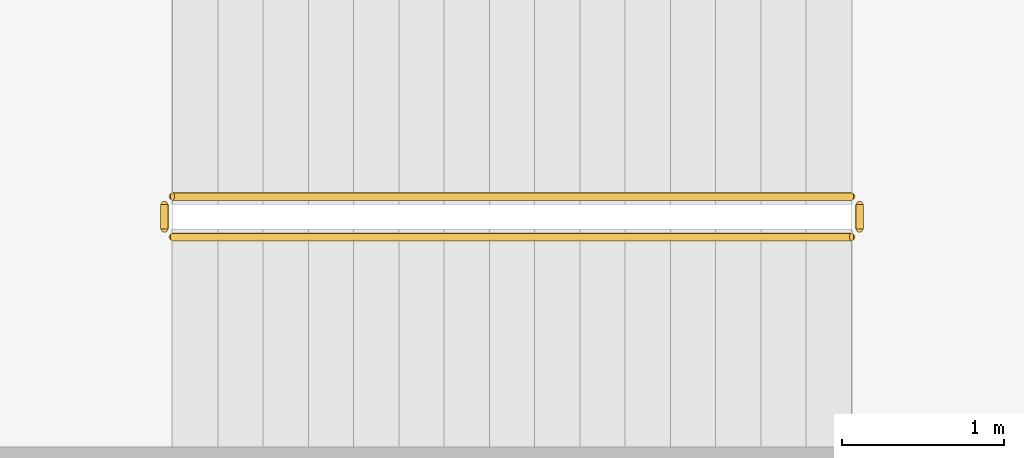
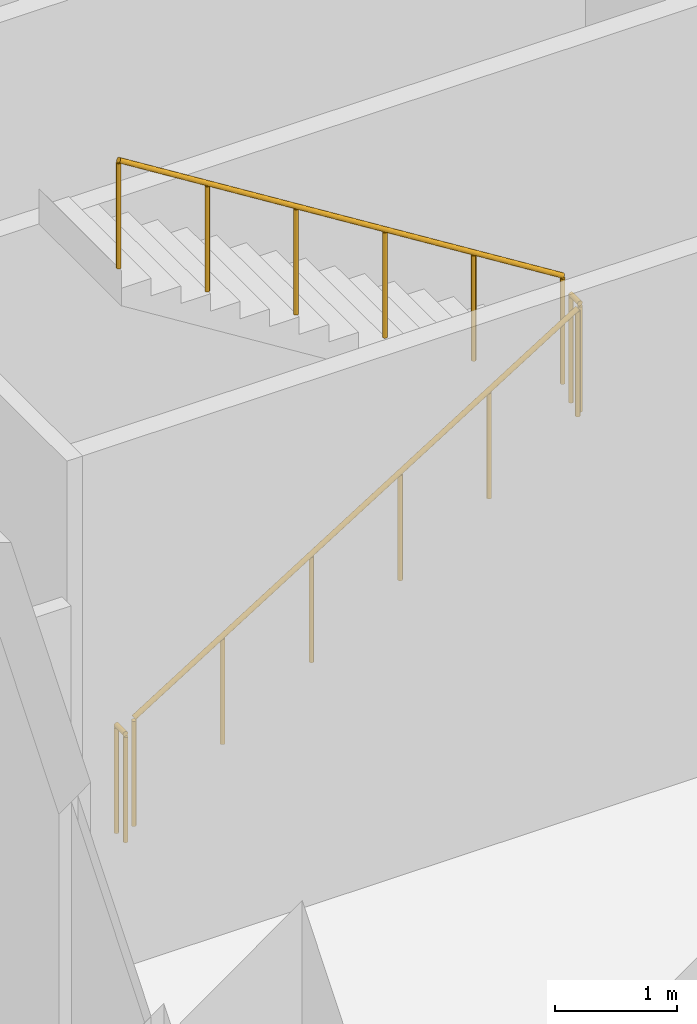
# One storey, part 12 of 17: 4 railings.
"""IFC4 building model written with IfcOpenShell, lengths in metres."""

from ifc_helpers import new_model, si_unit, direction, frame, origin, origin_2d, place, context, subcontext, project, spatial, circle, extrude, material, type_object, element, save


model = new_model("IFC4")

# Units and contexts
model_context = context("Model", 3, precision=1e-05, world=origin(), true_north=direction((0.0, 1.0)))
body_context = subcontext(model_context, "Body", "Model", "MODEL_VIEW")
ifc_project = project(units=[si_unit("LENGTHUNIT", "METRE"), si_unit("AREAUNIT", "SQUARE_METRE"), si_unit("VOLUMEUNIT", "CUBIC_METRE"), si_unit("PLANEANGLEUNIT", "RADIAN"), si_unit("MASSUNIT", "GRAM", prefix="KILO")], contexts=[model_context])

# Site, building, storey
site_placement = place(None, origin())
site = spatial("IfcSite", under=ifc_project, at=site_placement, CompositionType="ELEMENT")
building_placement = place(site_placement, origin())
building = spatial("IfcBuilding", under=site, at=building_placement, Name="Kawkab Arch Medical Tower", CompositionType="ELEMENT")
storey_placement = place(building_placement, frame((0.0, 0.0, 7.0)))
storey = spatial("IfcBuildingStorey", under=building, at=storey_placement, Name="L02", CompositionType="ELEMENT", Elevation=7.0)

# Railings
ifc_material = material(Name="Stainless steel", Category="steel")
railing_type = type_object("IfcRailingType", Name="Stair guard 1100", PredefinedType="GUARDRAIL", material=ifc_material)
railing_1_placement = place(storey_placement, frame((1.97509765625, -72.35009765625, 0.175048828125)))
element("IfcRailing", 1, at=railing_1_placement, inside=storey, type_object=railing_type, Name="L02 ST10 stair guard 1", PredefinedType="GUARDRAIL", context=body_context, shape_type="SweptSolid", body=[
    extrude(circle(Radius=0.02392578125, at=origin_2d()), frame((0.0, 0.0, 1.076171875), z_axis=(0.847995534698, 0.0, 0.530003370869), x_axis=(0.0, 1.0, 0.0)), (0.0, 0.0, 1.0), 4.952880859375),
    extrude(circle(Radius=0.02099609375, at=origin_2d()), origin(), (0.0, 0.0, 1.0), 1.052001953125),
    extrude(circle(Radius=0.02099609375, at=origin_2d()), frame((0.840087890625, 0.0, 0.52490234375)), (0.0, 0.0, 1.0), 1.052001953125),
    extrude(circle(Radius=0.02099609375, at=origin_2d()), frame((1.679931640625, 0.0, 1.050048828125)), (0.0, 0.0, 1.0), 1.052001953125),
    extrude(circle(Radius=0.02099609375, at=origin_2d()), frame((2.52001953125, 0.0, 1.574951171875)), (0.0, 0.0, 1.0), 1.052001953125),
    extrude(circle(Radius=0.02099609375, at=origin_2d()), frame((3.35986328125, 0.0, 2.10009765625)), (0.0, 0.0, 1.0), 1.052001953125),
    extrude(circle(Radius=0.02099609375, at=origin_2d()), frame((4.199951171875, 0.0, 2.625)), (0.0, 0.0, 1.0), 1.052001953125),
])
railing_2_placement = place(storey_placement, frame((6.22509765625, -72.300048828125, 2.800048828125)))
element("IfcRailing", 2, at=railing_2_placement, inside=storey, type_object=railing_type, Name="L02 ST10 stair guard 2", PredefinedType="GUARDRAIL", context=body_context, shape_type="SweptSolid", body=[
    extrude(circle(Radius=0.02392578125, at=origin_2d()), frame((0.0, 0.0, 1.076171875), z_axis=(0.0, 1.0, 0.0), x_axis=(-1.0, 0.0, 0.0)), (0.0, 0.0, 1.0), 0.150146484375),
    extrude(circle(Radius=0.02099609375, at=origin_2d()), origin(), (0.0, 0.0, 1.0), 1.052001953125),
    extrude(circle(Radius=0.02099609375, at=origin_2d()), frame((0.0, 0.150146484375, 0.0)), (0.0, 0.0, 1.0), 1.052001953125),
])
railing_3_placement = place(storey_placement, frame((6.175048828125, -72.10009765625, 2.97509765625)))
element("IfcRailing", 3, at=railing_3_placement, inside=storey, type_object=railing_type, Name="L02 ST10 stair guard 3", PredefinedType="GUARDRAIL", context=body_context, shape_type="SweptSolid", body=[
    extrude(circle(Radius=0.02392578125, at=origin_2d()), frame((0.0, 0.0, 1.076171875), z_axis=(-0.847995534698, 0.0, 0.530003370869), x_axis=(0.0, -1.0, 0.0)), (0.0, 0.0, 1.0), 4.952880859375),
    extrude(circle(Radius=0.02099609375, at=origin_2d()), origin(), (0.0, 0.0, 1.0), 1.052001953125),
    extrude(circle(Radius=0.02099609375, at=origin_2d()), frame((-0.840087890625, 0.0, 0.52490234375)), (0.0, 0.0, 1.0), 1.052001953125),
    extrude(circle(Radius=0.02099609375, at=origin_2d()), frame((-1.679931640625, 0.0, 1.050048828125)), (0.0, 0.0, 1.0), 1.052001953125),
    extrude(circle(Radius=0.02099609375, at=origin_2d()), frame((-2.52001953125, 0.0, 1.574951171875)), (0.0, 0.0, 1.0), 1.052001953125),
    extrude(circle(Radius=0.02099609375, at=origin_2d()), frame((-3.35986328125, 0.0, 2.10009765625)), (0.0, 0.0, 1.0), 1.052001953125),
    extrude(circle(Radius=0.02099609375, at=origin_2d()), frame((-4.199951171875, 0.0, 2.625)), (0.0, 0.0, 1.0), 1.052001953125),
])
railing_4_placement = place(storey_placement, frame((1.925048828125, -72.300048828125, 0.0)))
element("IfcRailing", 4, at=railing_4_placement, inside=storey, type_object=railing_type, Name="L02 ST10 stair guard 4", PredefinedType="GUARDRAIL", context=body_context, shape_type="SweptSolid", body=[
    extrude(circle(Radius=0.02392578125, at=origin_2d()), frame((0.0, 0.0, 1.076171875), z_axis=(0.0, 1.0, 0.0), x_axis=(-1.0, 0.0, 0.0)), (0.0, 0.0, 1.0), 0.150146484375),
    extrude(circle(Radius=0.02099609375, at=origin_2d()), origin(), (0.0, 0.0, 1.0), 1.052001953125),
    extrude(circle(Radius=0.02099609375, at=origin_2d()), frame((0.0, 0.150146484375, 0.0)), (0.0, 0.0, 1.0), 1.052001953125),
])

save(model, "model.ifc")
